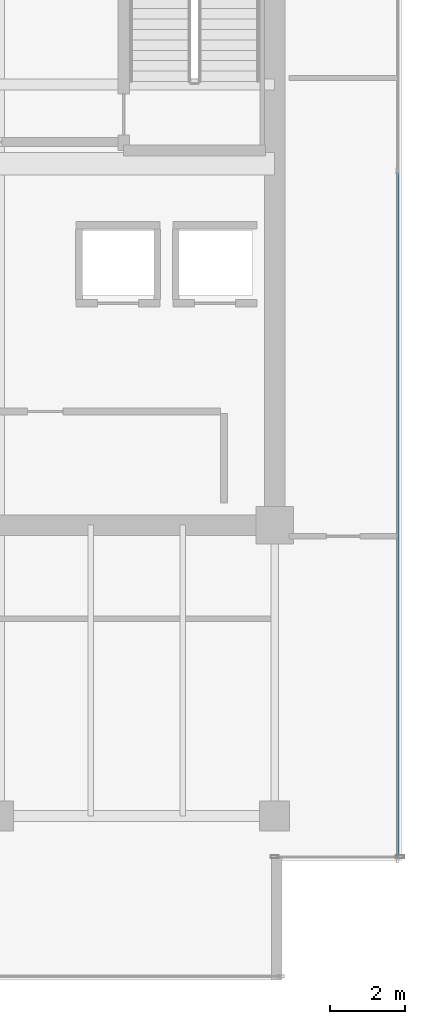
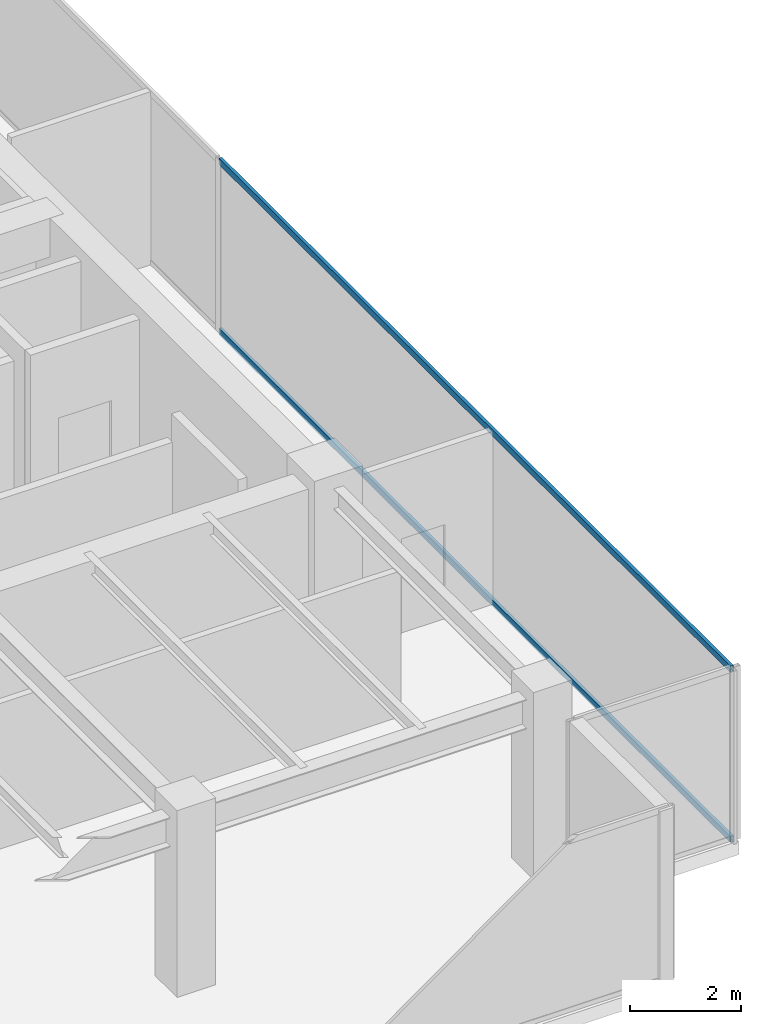
# One storey, part 23 of 33: 2 members, 1 element without a shape of its own.
"""IFC4 building model written with IfcOpenShell, lengths in metres."""

from ifc_helpers import new_model, si_unit, direction, frame, origin, origin_2d, place, context, subcontext, project, spatial, hollow_rectangle, extrude, source, transform, mapped, material, layer, layer_set, material_profile, profile_set, type_object, type_shapes, element, aggregate, save


model = new_model("IFC4")

# Units and contexts
model_context = context("Model", 3, precision=1e-05, world=origin(), true_north=direction((0.0, 1.0)))
body_context = subcontext(model_context, "Body", "Model", "MODEL_VIEW")
ifc_project = project(units=[si_unit("LENGTHUNIT", "METRE"), si_unit("AREAUNIT", "SQUARE_METRE"), si_unit("VOLUMEUNIT", "CUBIC_METRE"), si_unit("PLANEANGLEUNIT", "RADIAN"), si_unit("MASSUNIT", "GRAM", prefix="KILO")], contexts=[model_context])

# Site, building, storey
site_placement = place(None, origin())
site = spatial("IfcSite", under=ifc_project, at=site_placement, CompositionType="ELEMENT")
building_placement = place(site_placement, origin())
building = spatial("IfcBuilding", under=site, at=building_placement, Name="Haelvirn Gate Laboratories", CompositionType="ELEMENT")
storey_placement = place(building_placement, frame((0.0, 0.0, 230.10009765625)))
storey = spatial("IfcBuildingStorey", under=building, at=storey_placement, Name="L55", CompositionType="ELEMENT", Elevation=230.10009765625)

# Curtain wall, members
ifc_material_1 = material(Name="Anodised bronze unitised aluminium & triple low-E glass", Category="aluminium")
ifc_layer = layer(ifc_material_1, 0.176025390625, Name="CW-SYS-4")
ifc_layer_set = layer_set([ifc_layer], Name="Anodised bronze unitised aluminium & triple low-E glass")
curtain_wall_type = type_object("IfcCurtainWallType", Name="CW-SYS-4", PredefinedType="NOTDEFINED", material=ifc_layer_set)
curtain_wall_placement = place(storey_placement, origin())
curtain_wall = element("IfcCurtainWall", 1, at=curtain_wall_placement, inside=storey, type_object=curtain_wall_type, Name="L55 Unitised Curtain Wall CW-L55-P0-E07", PredefinedType="NOTDEFINED")
ifc_material_2 = material(Name="Extruded aluminium 6063-T6 (anodised bronze)", Category="aluminium")
ifc_material_profile = material_profile(ifc_material_2, hollow_rectangle(XDim=0.06494140625, YDim=0.139892578125, WallThickness=0.00390625, at=origin_2d()), Name="CWT-140x65x4")
ifc_profile_set = profile_set([ifc_material_profile], Name="Extruded aluminium 6063-T6 (anodised bronze)")
member_type = type_object("IfcMemberType", Name="CWT-T140", PredefinedType="USERDEFINED", material=ifc_profile_set)
shared_shape = source(origin(), body_context, "Body", "SweptSolid", [
    extrude(hollow_rectangle(XDim=0.06494140625, YDim=0.139892578125, WallThickness=0.00390625, at=origin_2d()), origin(), (0.0, 0.0, 1.0), 18.394775390625),
])
type_shapes(member_type, [shared_shape])
member_1_placement = place(storey_placement, frame((70.699951171875, 5.8701171875, 0.032470703125), z_axis=(0.0, 1.0, 0.0), x_axis=(-1.0, 0.0, 0.0)))
member_1 = element("IfcMember", 2, at=member_1_placement, type_object=member_type, Name="CW4 transom 1.1", ObjectType="TRANSOM", PredefinedType="USERDEFINED", context=body_context, shape_type="MappedRepresentation", body=[
    mapped(shared_shape, transform((0.0, 0.0, 0.0), scale=1.0)),
])
member_2_placement = place(storey_placement, frame((70.699951171875, 5.8701171875, 3.767333984375), z_axis=(0.0, 1.0, 0.0), x_axis=(-1.0, 0.0, 0.0)))
member_2 = element("IfcMember", 3, at=member_2_placement, type_object=member_type, Name="CW4 transom 1.2", ObjectType="TRANSOM", PredefinedType="USERDEFINED", context=body_context, shape_type="MappedRepresentation", body=[
    mapped(shared_shape, transform((0.0, 0.0, 0.0), scale=1.0)),
])
aggregate(curtain_wall, [member_1, member_2])

save(model, "model.ifc")
